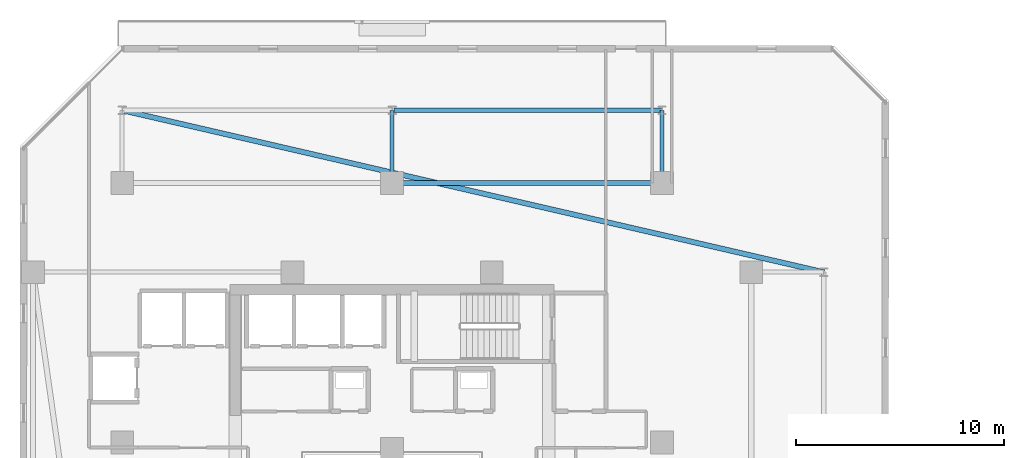
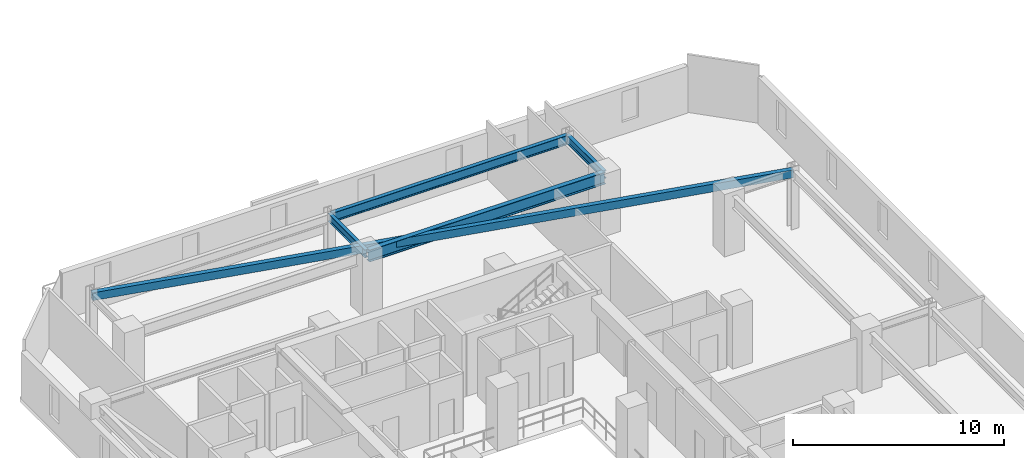
# One storey, part 9 of 33: 5 beams.
"""IFC4 building model written with IfcOpenShell, lengths in metres."""

import ifcopenshell
import ifcopenshell.guid

model = None  # the IFC model being written
_history = None  # IfcOwnerHistory: only IFC2X3 demands one
_inside = {}  # id of a spatial element -> (the spatial element, [elements in it])
_under = {}  # id of a project, library or spatial element -> (it, [spatial elements below it])
_declared = {}  # id of a project -> (the project, [libraries it declares])
_typed = {}  # id of a type object -> (the type object, [elements of that type])
_made_of = {}  # id of a material, layer set ... -> (it, [elements and type objects made of it])


def new_model(schema):
    """Start an empty IFC model of exactly this schema.

    Asked for "IFC4X3", IfcOpenShell would pick the latest addendum, in which some entities
    have other attributes; the version numbers below select the first issue.
    IFC2X3 requires an IfcOwnerHistory on every rooted entity: one is made here for all.
    """
    global model, _history
    if schema == "IFC4X3":
        model = ifcopenshell.file(schema_version=(4, 3, 0, 0))
    else:
        model = ifcopenshell.file(schema=schema)
    _inside.clear()
    _under.clear()
    _declared.clear()
    _typed.clear()
    _made_of.clear()
    _history = None
    if model.schema == "IFC2X3":
        org = make("IfcOrganization", Name="unknown")
        user = make(
            "IfcPersonAndOrganization",
            ThePerson=make("IfcPerson", FamilyName="unknown"),
            TheOrganization=org,
        )
        app = make(
            "IfcApplication",
            ApplicationDeveloper=org,
            Version="unknown",
            ApplicationFullName="unknown",
            ApplicationIdentifier="unknown",
        )
        _history = make(
            "IfcOwnerHistory",
            OwningUser=user,
            OwningApplication=app,
            ChangeAction="ADDED",
            CreationDate=0,
        )
    return model


def make(cls, **values):
    """One entity of the class cls with the attributes given. An attribute that is None is left unset."""
    return model.create_entity(
        cls, **{name: value for name, value in values.items() if value is not None}
    )


def rooted(cls, **values):
    """An entity with a GlobalId (a new one), such as an element, a storey or a relation."""
    return make(cls, GlobalId=ifcopenshell.guid.new(), OwnerHistory=_history, **values)


def si_unit(unit_type, name, prefix=None):
    """IfcSIUnit, for example si_unit("LENGTHUNIT", "METRE", prefix="MILLI")."""
    return make("IfcSIUnit", UnitType=unit_type, Prefix=prefix, Name=name)


def assignment(units):
    """IfcUnitAssignment: the units of a project."""
    return None if units is None else make("IfcUnitAssignment", Units=units)


def point(xyz):
    """IfcCartesianPoint."""
    return None if xyz is None else make("IfcCartesianPoint", Coordinates=xyz)


def direction(xyz):
    """IfcDirection."""
    return None if xyz is None else make("IfcDirection", DirectionRatios=xyz)


def frame(location, z_axis=None, x_axis=None):
    """IfcAxis2Placement3D, a coordinate frame: its origin and axes. An axis left out is left unset."""
    return make(
        "IfcAxis2Placement3D",
        Location=point(location),
        Axis=direction(z_axis),
        RefDirection=direction(x_axis),
    )


def frame_2d(location, x_axis=None):
    """IfcAxis2Placement2D, a coordinate frame in the plane: its origin and x axis."""
    return make(
        "IfcAxis2Placement2D", Location=point(location), RefDirection=direction(x_axis)
    )


def origin():
    """The frame at (0, 0, 0) with its axes left unset."""
    return frame((0.0, 0.0, 0.0))


def origin_2d():
    """The frame at (0, 0) in the plane with its x axis left unset."""
    return frame_2d((0.0, 0.0))


def place(relative_to, where):
    """IfcLocalPlacement: puts the frame where relative to a parent placement (None: the world)."""
    return make(
        "IfcLocalPlacement", PlacementRelTo=relative_to, RelativePlacement=where
    )


def context(
    kind, dimensions, precision=None, world=None, true_north=None, identifier=None
):
    """IfcGeometricRepresentationContext, for example the 3D "Model" context."""
    return make(
        "IfcGeometricRepresentationContext",
        ContextIdentifier=identifier,
        ContextType=kind,
        CoordinateSpaceDimension=dimensions,
        Precision=precision,
        WorldCoordinateSystem=world,
        TrueNorth=true_north,
    )


def subcontext(parent, identifier, kind, view, scale=None):
    """IfcGeometricRepresentationSubContext, for example "Body" below "Model"."""
    return make(
        "IfcGeometricRepresentationSubContext",
        ContextIdentifier=identifier,
        ContextType=kind,
        ParentContext=parent,
        TargetScale=scale,
        TargetView=view,
    )


def project(units=None, contexts=None):
    """IfcProject with its units and contexts."""
    return rooted(
        "IfcProject",
        Name="project",
        RepresentationContexts=contexts,
        UnitsInContext=assignment(units),
    )


def spatial(cls, under=None, at=None, **own):
    """A site, building, storey or space (cls), placed at a placement, below another one or the project."""
    s = rooted(cls, ObjectPlacement=at, **own)
    if under is not None:
        _under.setdefault(under.id(), (under, []))[1].append(s)
    return s


def profile(cls, at=None, kind="AREA", **sizes):
    """A parametric profile (cls). Its sizes go by their IFC names, for example OverallWidth=200.0."""
    return make(cls, ProfileType=kind, Position=at, **sizes)


def hollow_rectangle(**sizes):
    """IfcRectangleHollowProfileDef."""
    return profile("IfcRectangleHollowProfileDef", **sizes)


def i_section(**sizes):
    """IfcIShapeProfileDef."""
    return profile("IfcIShapeProfileDef", **sizes)


def extrude(swept, where, along, depth):
    """IfcExtrudedAreaSolid: the profile swept, set in the frame where, extruded along a direction by depth."""
    return make(
        "IfcExtrudedAreaSolid",
        SweptArea=swept,
        Position=where,
        ExtrudedDirection=direction(along),
        Depth=depth,
    )


def shape(context_of_items, identifier, shape_type, items):
    """IfcShapeRepresentation: the items that make up one representation, for example the "Body"."""
    return make(
        "IfcShapeRepresentation",
        ContextOfItems=context_of_items,
        RepresentationIdentifier=identifier,
        RepresentationType=shape_type,
        Items=items,
    )


def material(Name=None, Category=None):
    """IfcMaterial."""
    return make("IfcMaterial", Name=Name, Category=Category)


def material_profile(
    of_material, cross_section, Name=None, Category=None, Priority=None
):
    """IfcMaterialProfile: a cross section and its material."""
    return make(
        "IfcMaterialProfile",
        Name=Name,
        Material=of_material,
        Profile=cross_section,
        Priority=Priority,
        Category=Category,
    )


def profile_set(profiles, Name=None, composite=None):
    """IfcMaterialProfileSet."""
    return make(
        "IfcMaterialProfileSet",
        Name=Name,
        MaterialProfiles=profiles,
        CompositeProfile=composite,
    )


def made_of(thing, what):
    """Note that an element or type object is made of a material, layer set ...; save() writes the relation."""
    if what is not None:
        _made_of.setdefault(what.id(), (what, []))[1].append(thing)
    return thing


def type_object(cls, material=None, **own):
    """A type object (cls), such as IfcWallType, which elements share."""
    return made_of(rooted(cls, **own), material)


def element(
    cls,
    number,
    at=None,
    inside=None,
    cuts=None,
    type_object=None,
    material=None,
    context=None,
    identifier="Body",
    shape_type=None,
    held_by="IfcProductDefinitionShape",
    body=None,
    shapes=None,
    **own,
):
    """One element of the class cls, such as IfcWall. Its Tag is "e" and its number.

    at: its placement. inside: the storey or other place that contains it. cuts: it is an
    opening in that element (IfcRelVoidsElement). A single representation is given by context,
    identifier, shape_type and body (its items); several are given by shapes. held_by: the class
    of the entity that holds the representations. save() writes the other relations.
    """
    e = rooted(cls, Tag="e%d" % number, ObjectPlacement=at, **own)
    if body is not None:
        shapes = [shape(context, identifier, shape_type, body)]
    if shapes is not None:
        e.Representation = make(held_by, Representations=shapes)
    if inside is not None:
        _inside.setdefault(inside.id(), (inside, []))[1].append(e)
    if cuts is not None:
        rooted(
            "IfcRelVoidsElement", RelatingBuildingElement=cuts, RelatedOpeningElement=e
        )
    if type_object is not None:
        _typed.setdefault(type_object.id(), (type_object, []))[1].append(e)
    return made_of(e, material)


def aggregate(whole, parts):
    """IfcRelAggregates: a whole, such as a stair, and the parts it consists of."""
    return rooted("IfcRelAggregates", RelatingObject=whole, RelatedObjects=parts)


def save(model, path):
    """Write the relations noted so far, then the file.

    IfcRelAggregates (storeys below a building ...), IfcRelContainedInSpatialStructure (elements
    in a storey), IfcRelDefinesByType, IfcRelAssociatesMaterial and IfcRelDeclares: one each for
    every whole, place, type object, material and project.
    """
    for whole, parts in _under.values():
        aggregate(whole, parts)
    for where, things in _inside.values():
        rooted(
            "IfcRelContainedInSpatialStructure",
            RelatedElements=things,
            RelatingStructure=where,
        )
    for kind, things in _typed.values():
        rooted("IfcRelDefinesByType", RelatedObjects=things, RelatingType=kind)
    for what, things in _made_of.values():
        rooted("IfcRelAssociatesMaterial", RelatedObjects=things, RelatingMaterial=what)
    for by, libraries in _declared.values():
        rooted("IfcRelDeclares", RelatingContext=by, RelatedDefinitions=libraries)
    model.write(path)


model = new_model("IFC4")

# Units and contexts
model_context = context("Model", 3, precision=1e-05, world=origin(), true_north=direction((0.0, 1.0)))
body_context = subcontext(model_context, "Body", "Model", "MODEL_VIEW")
ifc_project = project(units=[si_unit("LENGTHUNIT", "METRE"), si_unit("AREAUNIT", "SQUARE_METRE"), si_unit("VOLUMEUNIT", "CUBIC_METRE"), si_unit("PLANEANGLEUNIT", "RADIAN"), si_unit("MASSUNIT", "GRAM", prefix="KILO")], contexts=[model_context])

# Site, building, storey
site_placement = place(None, origin())
site = spatial("IfcSite", under=ifc_project, at=site_placement, CompositionType="ELEMENT")
building_placement = place(site_placement, origin())
building = spatial("IfcBuilding", under=site, at=building_placement, Name="Thornwick Lancets Civic Towers", CompositionType="ELEMENT")
storey_placement = place(building_placement, frame((0.0, 0.0, 192.89990234375)))
storey = spatial("IfcBuildingStorey", under=building, at=storey_placement, Name="L51", CompositionType="ELEMENT", Elevation=192.89990234375)

# Beams
ifc_material = material(Name="Steel S355JR", Category="steel")
ifc_material_profile_1 = material_profile(ifc_material, i_section(OverallWidth=0.210693359375, OverallDepth=0.53955078125, WebThickness=0.01171875, FlangeThickness=0.018798828125, FilletRadius=0.0126953125, at=origin_2d()), Name="UKB 533x210x109")
ifc_profile_set_1 = profile_set([ifc_material_profile_1], Name="Steel S355JR")
beam_type_1 = type_object("IfcBeamType", Name="BM_EDGE_533_109", PredefinedType="SPANDREL", material=ifc_profile_set_1)
beam_1_placement = place(storey_placement, frame((25.580078125, 47.800048828125, 3.09033203125), z_axis=(1.0, 0.0, 0.0), x_axis=(0.0, 1.0, 0.0)))
element("IfcBeam", 1, at=beam_1_placement, inside=storey, type_object=beam_type_1, Name="BM-EDGE-L51-A-S2-2", PredefinedType="SPANDREL", context=body_context, shape_type="SweptSolid", body=[
    extrude(i_section(OverallWidth=0.210693359375, OverallDepth=0.53955078125, WebThickness=0.01171875, FlangeThickness=0.018798828125, FilletRadius=0.0126953125, at=origin_2d()), origin(), (0.0, 0.0, 1.0), 12.919921875),
])
ifc_material_profile_2 = material_profile(ifc_material, i_section(OverallWidth=0.255859375, OverallDepth=0.69287109375, WebThickness=0.014404296875, FlangeThickness=0.023681640625, FilletRadius=0.01513671875, at=origin_2d()), Name="UKB 686x254x170")
ifc_profile_set_2 = profile_set([ifc_material_profile_2], Name="Steel S355JR")
beam_type_2 = type_object("IfcBeamType", Name="BM_GIRD_686_170", PredefinedType="BEAM", material=ifc_profile_set_2)
beam_2_placement = place(storey_placement, frame((25.580078125, 44.300048828125, 3.013671875), z_axis=(1.0, 0.0, 0.0), x_axis=(0.0, 1.0, 0.0)))
element("IfcBeam", 2, at=beam_2_placement, inside=storey, type_object=beam_type_2, Name="BM-SPINE-L51-A-7-8", PredefinedType="BEAM", context=body_context, shape_type="SweptSolid", body=[
    extrude(i_section(OverallWidth=0.255859375, OverallDepth=0.69287109375, WebThickness=0.014404296875, FlangeThickness=0.023681640625, FilletRadius=0.01513671875, at=origin_2d()), origin(), (0.0, 0.0, 1.0), 12.919921875),
])
ifc_material_profile_3 = material_profile(ifc_material, i_section(OverallWidth=0.19189453125, OverallDepth=0.46337890625, WebThickness=0.010498046875, FlangeThickness=0.017578125, FilletRadius=0.01025390625, at=origin_2d()), Name="UKB 457x191x89")
ifc_profile_set_3 = profile_set([ifc_material_profile_3], Name="Steel S355JR")
beam_type_3 = type_object("IfcBeamType", Name="BM_JOIST_457_89", PredefinedType="JOIST", material=ifc_profile_set_3)
for number, where, z_axis, x_axis, name in (
    (3, (25.5, 44.300048828125, 3.12841796875), (0.0, 1.0, 0.0), (-1.0, 0.0, 0.0), "BM-RAD-L51-A08"),
    (4, (38.5, 44.300048828125, 3.12841796875), (0.0, 1.0, 0.0), (-1.0, 0.0, 0.0), "BM-RAD-L51-A09"),
):
    element("IfcBeam", number, at=place(storey_placement, frame(where, z_axis=z_axis, x_axis=x_axis)), inside=storey, type_object=beam_type_3, Name=name, PredefinedType="JOIST", context=body_context, shape_type="SweptSolid", body=[
        extrude(i_section(OverallWidth=0.19189453125, OverallDepth=0.46337890625, WebThickness=0.010498046875, FlangeThickness=0.017578125, FilletRadius=0.01025390625, at=origin_2d()), origin(), (0.0, 0.0, 1.0), 3.5),
    ])
ifc_material_profile_4 = material_profile(ifc_material, hollow_rectangle(XDim=0.25, YDim=0.449951171875, WallThickness=0.01611328125, at=origin_2d()), Name="RHS 450x250x16")
ifc_profile_set_4 = profile_set([ifc_material_profile_4], Name="Steel S355JR")
beam_type_4 = type_object("IfcBeamType", Name="BM_RING_RHS450", PredefinedType="BEAM", material=ifc_profile_set_4)
beam_3_placement = place(storey_placement, frame((46.300048828125, 40.0, 3.135009765625), z_axis=(-0.974390958454, 0.224860534737, 0.0), x_axis=(-0.224860534737, -0.974390958454, 0.0)))
element("IfcBeam", 5, at=beam_3_placement, inside=storey, type_object=beam_type_4, Name="BM-CHAMF-L51-A-C1", PredefinedType="BEAM", context=body_context, shape_type="SweptSolid", body=[
    extrude(hollow_rectangle(XDim=0.25, YDim=0.449951171875, WallThickness=0.01611328125, at=origin_2d()), origin(), (0.0, 0.0, 1.0), 34.6884765625),
])

save(model, "model.ifc")
